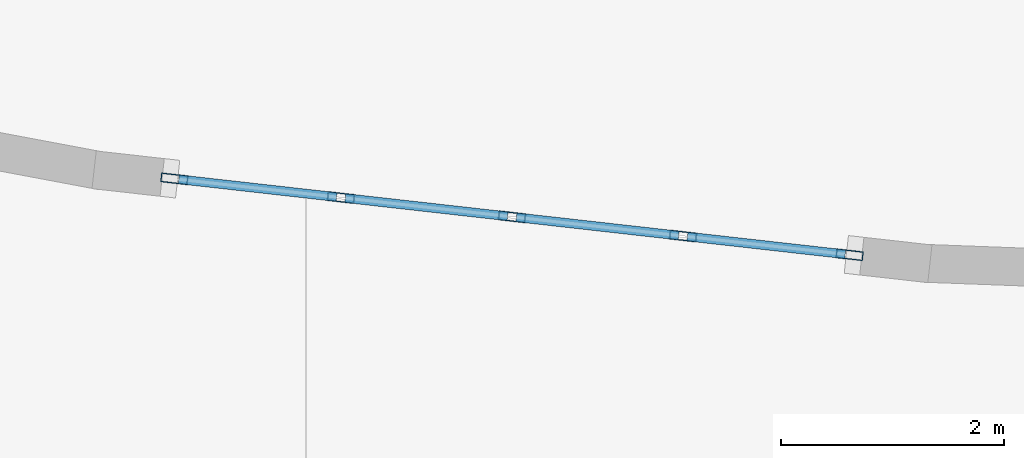
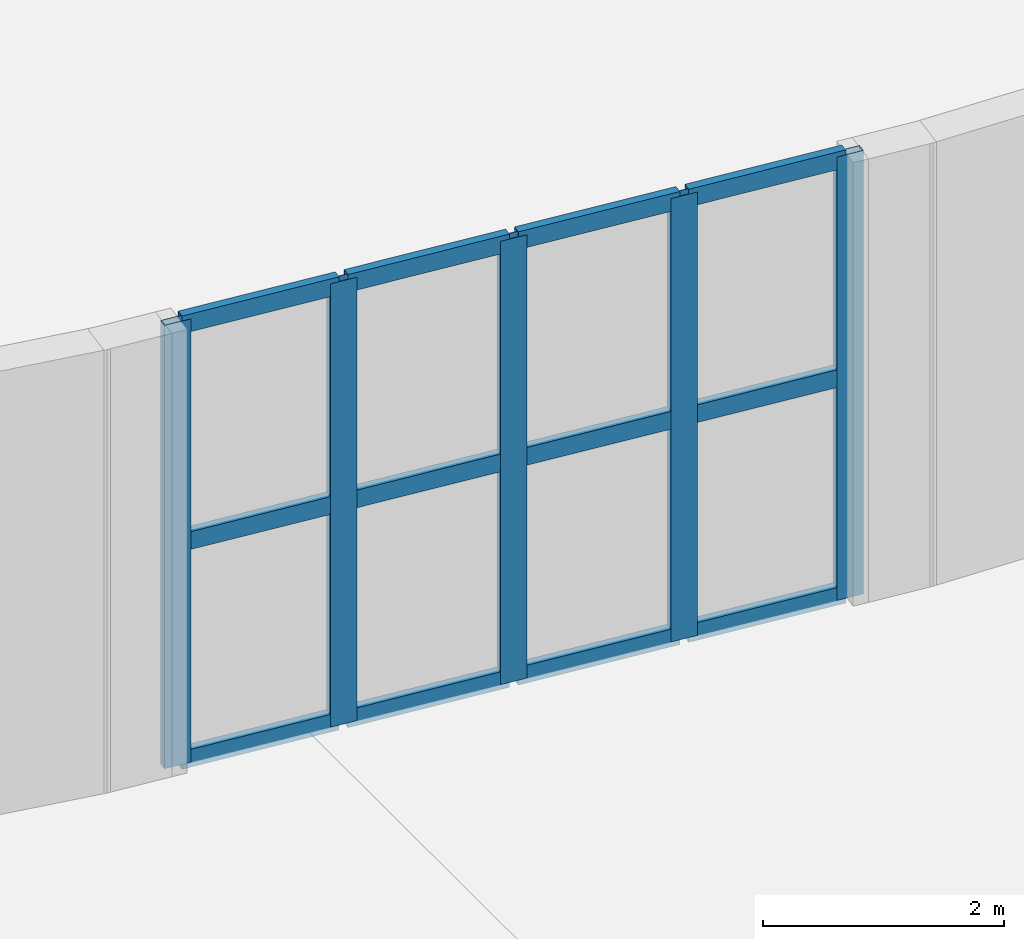
# One storey, part 4 of 32: 17 members, 1 element without a shape of its own.
"""IFC4 building model written with IfcOpenShell, lengths in metres."""

from ifc_helpers import new_model, si_unit, direction, frame, origin, origin_2d, place, context, subcontext, project, spatial, hollow_rectangle, extrude, material, layer, layer_set, material_profile, profile_set, type_object, element, aggregate, save


model = new_model("IFC4")

# Units and contexts
model_context = context("Model", 3, precision=1e-05, world=origin(), true_north=direction((0.0, 1.0)))
body_context = subcontext(model_context, "Body", "Model", "MODEL_VIEW")
ifc_project = project(units=[si_unit("LENGTHUNIT", "METRE"), si_unit("AREAUNIT", "SQUARE_METRE"), si_unit("VOLUMEUNIT", "CUBIC_METRE"), si_unit("PLANEANGLEUNIT", "RADIAN"), si_unit("MASSUNIT", "GRAM", prefix="KILO")], contexts=[model_context])

# Site, building, storey
site_placement = place(None, origin())
site = spatial("IfcSite", under=ifc_project, at=site_placement, CompositionType="ELEMENT")
building_placement = place(site_placement, origin())
building = spatial("IfcBuilding", under=site, at=building_placement, Name="Miruveldt Soraemaru", CompositionType="ELEMENT")
storey_placement = place(building_placement, origin())
storey = spatial("IfcBuildingStorey", under=building, at=storey_placement, Name="L01", CompositionType="ELEMENT", Elevation=0.0)

# Curtain wall, members
ifc_material = material(Name="Anodised aluminium EN AW-6063 T6", Category="aluminium")
ifc_layer = layer(ifc_material, 0.239990234375, Name="Anodised aluminium EN AW-6063 T6", Category="aluminium")
ifc_layer_set = layer_set([ifc_layer], Name="Anodised aluminium EN AW-6063 T6")
curtain_wall_type = type_object("IfcCurtainWallType", Name="CW-SYS-1", PredefinedType="USERDEFINED", material=ifc_layer_set)
curtain_wall_placement = place(storey_placement, origin())
curtain_wall = element("IfcCurtainWall", 1, at=curtain_wall_placement, inside=storey, type_object=curtain_wall_type, Name="L01 Curtain Wall Bay 23", ObjectType="STOREFRONT", PredefinedType="USERDEFINED")
ifc_material_profile_1 = material_profile(ifc_material, hollow_rectangle(XDim=0.080078125, YDim=0.239990234375, WallThickness=0.0048828125, at=origin_2d()), Name="Anodised aluminium EN AW-6063 T6", Category="aluminium")
ifc_profile_set_1 = profile_set([ifc_material_profile_1], Name="Anodised aluminium EN AW-6063 T6")
member_type_1 = type_object("IfcMemberType", Name="CWM-1", PredefinedType="MULLION", material=ifc_profile_set_1)
member_1_placement = place(storey_placement, frame((29.81787109375, 14.341552734375, 0.0), z_axis=(0.0, 0.0, 1.0), x_axis=(0.111793375147, 0.993731473424, 0.0)))
member_1 = element("IfcMember", 2, at=member_1_placement, type_object=member_type_1, Name="CW-1 mullion 1", PredefinedType="MULLION", context=body_context, shape_type="SweptSolid", body=[
    extrude(hollow_rectangle(XDim=0.080078125, YDim=0.239990234375, WallThickness=0.0048828125, at=origin_2d()), origin(), (0.0, 0.0, 1.0), 4.5),
])
member_2_placement = place(storey_placement, frame((31.3134765625, 14.17333984375, 0.0), z_axis=(0.0, 0.0, 1.0), x_axis=(0.111793375147, 0.993731473424, 0.0)))
member_2 = element("IfcMember", 3, at=member_2_placement, type_object=member_type_1, Name="CW-1 mullion 2", PredefinedType="MULLION", context=body_context, shape_type="SweptSolid", body=[
    extrude(hollow_rectangle(XDim=0.080078125, YDim=0.239990234375, WallThickness=0.0048828125, at=origin_2d()), origin(), (0.0, 0.0, 1.0), 4.5),
])
member_3_placement = place(storey_placement, frame((32.84912109375, 14.00048828125, 0.0), z_axis=(0.0, 0.0, 1.0), x_axis=(0.111793375147, 0.993731473424, 0.0)))
member_3 = element("IfcMember", 4, at=member_3_placement, type_object=member_type_1, Name="CW-1 mullion 3", PredefinedType="MULLION", context=body_context, shape_type="SweptSolid", body=[
    extrude(hollow_rectangle(XDim=0.080078125, YDim=0.239990234375, WallThickness=0.0048828125, at=origin_2d()), origin(), (0.0, 0.0, 1.0), 4.5),
])
member_4_placement = place(storey_placement, frame((34.384765625, 13.82763671875, 0.0), z_axis=(0.0, 0.0, 1.0), x_axis=(0.111793375147, 0.993731473424, 0.0)))
member_4 = element("IfcMember", 5, at=member_4_placement, type_object=member_type_1, Name="CW-1 mullion 4", PredefinedType="MULLION", context=body_context, shape_type="SweptSolid", body=[
    extrude(hollow_rectangle(XDim=0.080078125, YDim=0.239990234375, WallThickness=0.0048828125, at=origin_2d()), origin(), (0.0, 0.0, 1.0), 4.5),
])
member_5_placement = place(storey_placement, frame((35.880615234375, 13.659423828125, 0.0), z_axis=(0.0, 0.0, 1.0), x_axis=(0.111793375147, 0.993731473424, 0.0)))
member_5 = element("IfcMember", 6, at=member_5_placement, type_object=member_type_1, Name="CW-1 mullion 5", PredefinedType="MULLION", context=body_context, shape_type="SweptSolid", body=[
    extrude(hollow_rectangle(XDim=0.080078125, YDim=0.239990234375, WallThickness=0.0048828125, at=origin_2d()), origin(), (0.0, 0.0, 1.0), 4.5),
])
ifc_material_profile_2 = material_profile(ifc_material, hollow_rectangle(XDim=0.080078125, YDim=0.179931640625, WallThickness=0.00390625, at=origin_2d()), Name="Anodised aluminium EN AW-6063 T6", Category="aluminium")
ifc_profile_set_2 = profile_set([ifc_material_profile_2], Name="Anodised aluminium EN AW-6063 T6")
member_type_2 = type_object("IfcMemberType", Name="CWT-1", PredefinedType="USERDEFINED", material=ifc_profile_set_2)
member_6_placement = place(storey_placement, frame((29.857421875, 14.337158203125, 0.0400390625), z_axis=(0.993726082535, -0.111841284367, 0.0), x_axis=(0.111841284367, 0.993726082535, 0.0)))
member_6 = element("IfcMember", 7, at=member_6_placement, type_object=member_type_2, Name="CW-1 transom 1.1", ObjectType="TRANSOM", PredefinedType="USERDEFINED", context=body_context, shape_type="SweptSolid", body=[
    extrude(hollow_rectangle(XDim=0.080078125, YDim=0.179931640625, WallThickness=0.00390625, at=origin_2d()), origin(), (0.0, 0.0, 1.0), 1.425537109375),
])
member_7_placement = place(storey_placement, frame((29.857421875, 14.337158203125, 2.25), z_axis=(0.993726082535, -0.111841284367, 0.0), x_axis=(0.111841284367, 0.993726082535, 0.0)))
member_7 = element("IfcMember", 8, at=member_7_placement, type_object=member_type_2, Name="CW-1 transom 1.2", ObjectType="TRANSOM", PredefinedType="USERDEFINED", context=body_context, shape_type="SweptSolid", body=[
    extrude(hollow_rectangle(XDim=0.080078125, YDim=0.179931640625, WallThickness=0.00390625, at=origin_2d()), origin(), (0.0, 0.0, 1.0), 1.425537109375),
])
member_8_placement = place(storey_placement, frame((29.857421875, 14.337158203125, 4.4599609375), z_axis=(0.993726082535, -0.111841284367, 0.0), x_axis=(0.111841284367, 0.993726082535, 0.0)))
member_8 = element("IfcMember", 9, at=member_8_placement, type_object=member_type_2, Name="CW-1 transom 1.3", ObjectType="TRANSOM", PredefinedType="USERDEFINED", context=body_context, shape_type="SweptSolid", body=[
    extrude(hollow_rectangle(XDim=0.080078125, YDim=0.179931640625, WallThickness=0.00390625, at=origin_2d()), origin(), (0.0, 0.0, 1.0), 1.425537109375),
])
member_9_placement = place(storey_placement, frame((31.353271484375, 14.168701171875, 0.0400390625), z_axis=(0.993730390593, -0.111803000015, 0.0), x_axis=(0.111803000015, 0.993730390593, 0.0)))
member_9 = element("IfcMember", 10, at=member_9_placement, type_object=member_type_2, Name="CW-1 transom 2.1", ObjectType="TRANSOM", PredefinedType="USERDEFINED", context=body_context, shape_type="SweptSolid", body=[
    extrude(hollow_rectangle(XDim=0.080078125, YDim=0.179931640625, WallThickness=0.00390625, at=origin_2d()), origin(), (0.0, 0.0, 1.0), 1.46533203125),
])
member_10_placement = place(storey_placement, frame((31.353271484375, 14.168701171875, 2.25), z_axis=(0.993730390593, -0.111803000015, 0.0), x_axis=(0.111803000015, 0.993730390593, 0.0)))
member_10 = element("IfcMember", 11, at=member_10_placement, type_object=member_type_2, Name="CW-1 transom 2.2", ObjectType="TRANSOM", PredefinedType="USERDEFINED", context=body_context, shape_type="SweptSolid", body=[
    extrude(hollow_rectangle(XDim=0.080078125, YDim=0.179931640625, WallThickness=0.00390625, at=origin_2d()), origin(), (0.0, 0.0, 1.0), 1.46533203125),
])
member_11_placement = place(storey_placement, frame((31.353271484375, 14.168701171875, 4.4599609375), z_axis=(0.993730390593, -0.111803000015, 0.0), x_axis=(0.111803000015, 0.993730390593, 0.0)))
member_11 = element("IfcMember", 12, at=member_11_placement, type_object=member_type_2, Name="CW-1 transom 2.3", ObjectType="TRANSOM", PredefinedType="USERDEFINED", context=body_context, shape_type="SweptSolid", body=[
    extrude(hollow_rectangle(XDim=0.080078125, YDim=0.179931640625, WallThickness=0.00390625, at=origin_2d()), origin(), (0.0, 0.0, 1.0), 1.46533203125),
])
member_12_placement = place(storey_placement, frame((32.888916015625, 13.99609375, 0.0400390625), z_axis=(0.993730390593, -0.111803000015, 0.0), x_axis=(0.111803000015, 0.993730390593, 0.0)))
member_12 = element("IfcMember", 13, at=member_12_placement, type_object=member_type_2, Name="CW-1 transom 3.1", ObjectType="TRANSOM", PredefinedType="USERDEFINED", context=body_context, shape_type="SweptSolid", body=[
    extrude(hollow_rectangle(XDim=0.080078125, YDim=0.179931640625, WallThickness=0.00390625, at=origin_2d()), origin(), (0.0, 0.0, 1.0), 1.46533203125),
])
member_13_placement = place(storey_placement, frame((32.888916015625, 13.99609375, 2.25), z_axis=(0.993730390593, -0.111803000015, 0.0), x_axis=(0.111803000015, 0.993730390593, 0.0)))
member_13 = element("IfcMember", 14, at=member_13_placement, type_object=member_type_2, Name="CW-1 transom 3.2", ObjectType="TRANSOM", PredefinedType="USERDEFINED", context=body_context, shape_type="SweptSolid", body=[
    extrude(hollow_rectangle(XDim=0.080078125, YDim=0.179931640625, WallThickness=0.00390625, at=origin_2d()), origin(), (0.0, 0.0, 1.0), 1.46533203125),
])
member_14_placement = place(storey_placement, frame((32.888916015625, 13.99609375, 4.4599609375), z_axis=(0.993730390593, -0.111803000015, 0.0), x_axis=(0.111803000015, 0.993730390593, 0.0)))
member_14 = element("IfcMember", 15, at=member_14_placement, type_object=member_type_2, Name="CW-1 transom 3.3", ObjectType="TRANSOM", PredefinedType="USERDEFINED", context=body_context, shape_type="SweptSolid", body=[
    extrude(hollow_rectangle(XDim=0.080078125, YDim=0.179931640625, WallThickness=0.00390625, at=origin_2d()), origin(), (0.0, 0.0, 1.0), 1.46533203125),
])
member_15_placement = place(storey_placement, frame((34.424560546875, 13.8232421875, 0.0400390625), z_axis=(0.993742967246, -0.111691159222, 0.0), x_axis=(0.111691159222, 0.993742967246, 0.0)))
member_15 = element("IfcMember", 16, at=member_15_placement, type_object=member_type_2, Name="CW-1 transom 4.1", ObjectType="TRANSOM", PredefinedType="USERDEFINED", context=body_context, shape_type="SweptSolid", body=[
    extrude(hollow_rectangle(XDim=0.080078125, YDim=0.179931640625, WallThickness=0.00390625, at=origin_2d()), origin(), (0.0, 0.0, 1.0), 1.42529296875),
])
member_16_placement = place(storey_placement, frame((34.424560546875, 13.8232421875, 2.25), z_axis=(0.993742967246, -0.111691159222, 0.0), x_axis=(0.111691159222, 0.993742967246, 0.0)))
member_16 = element("IfcMember", 17, at=member_16_placement, type_object=member_type_2, Name="CW-1 transom 4.2", ObjectType="TRANSOM", PredefinedType="USERDEFINED", context=body_context, shape_type="SweptSolid", body=[
    extrude(hollow_rectangle(XDim=0.080078125, YDim=0.179931640625, WallThickness=0.00390625, at=origin_2d()), origin(), (0.0, 0.0, 1.0), 1.42529296875),
])
member_17_placement = place(storey_placement, frame((34.424560546875, 13.8232421875, 4.4599609375), z_axis=(0.993742967246, -0.111691159222, 0.0), x_axis=(0.111691159222, 0.993742967246, 0.0)))
member_17 = element("IfcMember", 18, at=member_17_placement, type_object=member_type_2, Name="CW-1 transom 4.3", ObjectType="TRANSOM", PredefinedType="USERDEFINED", context=body_context, shape_type="SweptSolid", body=[
    extrude(hollow_rectangle(XDim=0.080078125, YDim=0.179931640625, WallThickness=0.00390625, at=origin_2d()), origin(), (0.0, 0.0, 1.0), 1.42529296875),
])
aggregate(curtain_wall, [member_1, member_2, member_3, member_4, member_5, member_6, member_7, member_8, member_9, member_10, member_11, member_12, member_13, member_14, member_15, member_16, member_17])

save(model, "model.ifc")
